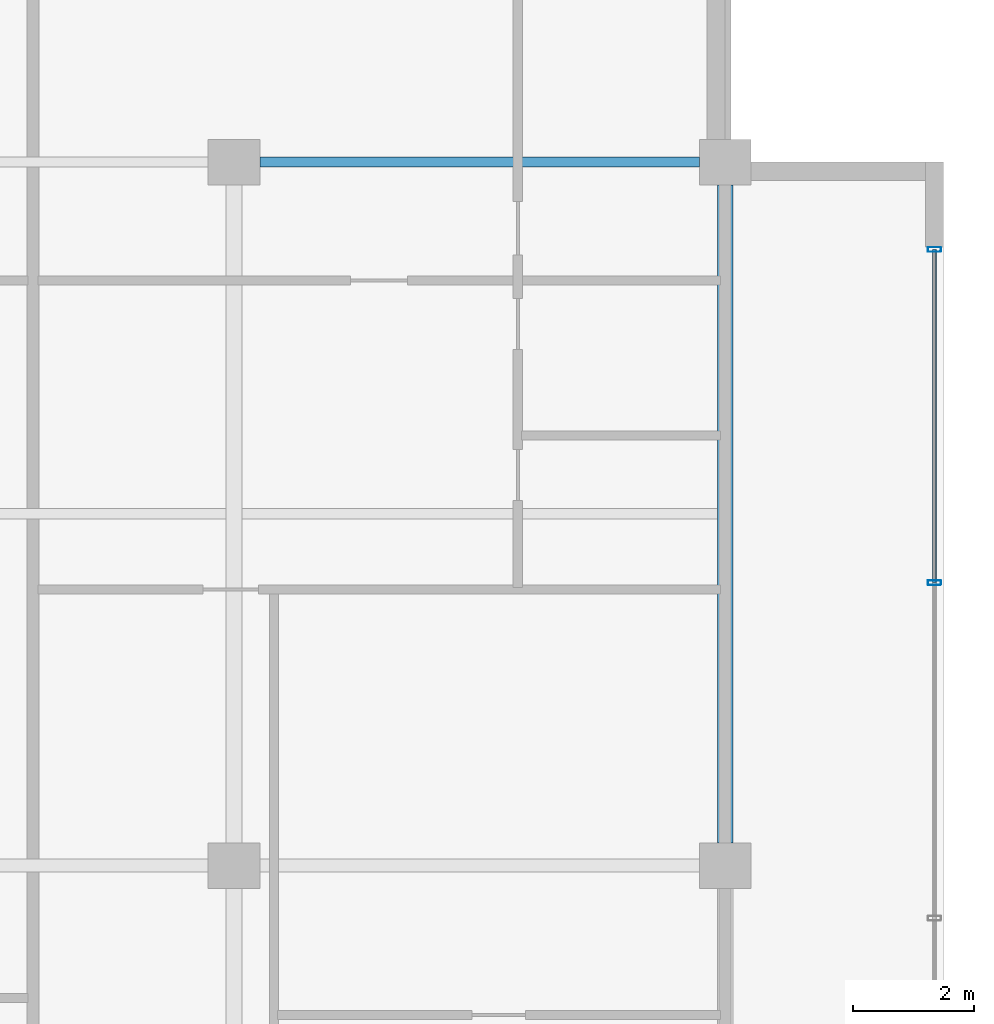
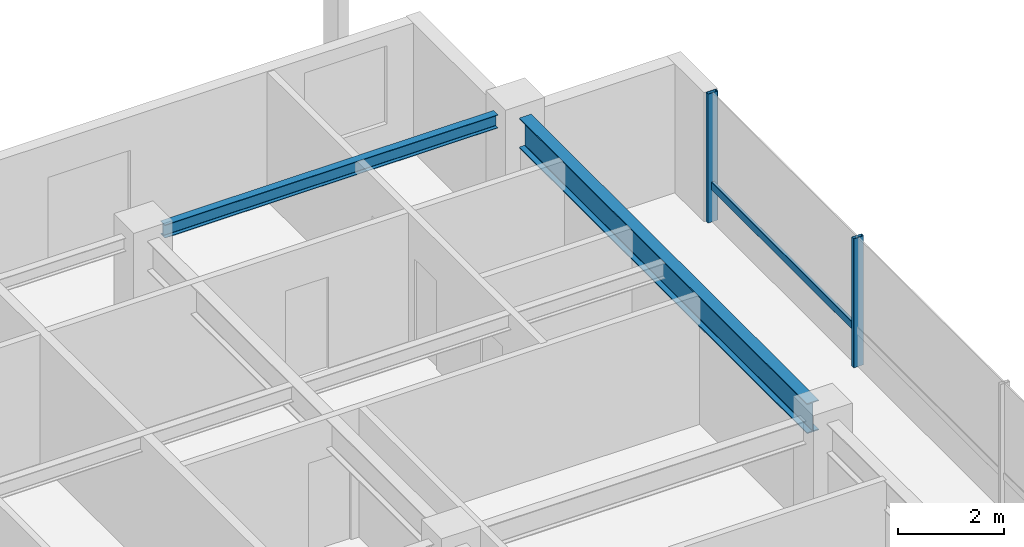
# One storey, part 14 of 32: 3 members, 2 beams, 1 element without a shape of its own.
"""IFC4 building model written with IfcOpenShell, lengths in metres."""

import ifcopenshell
import ifcopenshell.guid

model = None  # the IFC model being written
_history = None  # IfcOwnerHistory: only IFC2X3 demands one
_inside = {}  # id of a spatial element -> (the spatial element, [elements in it])
_under = {}  # id of a project, library or spatial element -> (it, [spatial elements below it])
_declared = {}  # id of a project -> (the project, [libraries it declares])
_typed = {}  # id of a type object -> (the type object, [elements of that type])
_made_of = {}  # id of a material, layer set ... -> (it, [elements and type objects made of it])


def new_model(schema):
    """Start an empty IFC model of exactly this schema.

    Asked for "IFC4X3", IfcOpenShell would pick the latest addendum, in which some entities
    have other attributes; the version numbers below select the first issue.
    IFC2X3 requires an IfcOwnerHistory on every rooted entity: one is made here for all.
    """
    global model, _history
    if schema == "IFC4X3":
        model = ifcopenshell.file(schema_version=(4, 3, 0, 0))
    else:
        model = ifcopenshell.file(schema=schema)
    _inside.clear()
    _under.clear()
    _declared.clear()
    _typed.clear()
    _made_of.clear()
    _history = None
    if model.schema == "IFC2X3":
        org = make("IfcOrganization", Name="unknown")
        user = make(
            "IfcPersonAndOrganization",
            ThePerson=make("IfcPerson", FamilyName="unknown"),
            TheOrganization=org,
        )
        app = make(
            "IfcApplication",
            ApplicationDeveloper=org,
            Version="unknown",
            ApplicationFullName="unknown",
            ApplicationIdentifier="unknown",
        )
        _history = make(
            "IfcOwnerHistory",
            OwningUser=user,
            OwningApplication=app,
            ChangeAction="ADDED",
            CreationDate=0,
        )
    return model


def make(cls, **values):
    """One entity of the class cls with the attributes given. An attribute that is None is left unset."""
    return model.create_entity(
        cls, **{name: value for name, value in values.items() if value is not None}
    )


def rooted(cls, **values):
    """An entity with a GlobalId (a new one), such as an element, a storey or a relation."""
    return make(cls, GlobalId=ifcopenshell.guid.new(), OwnerHistory=_history, **values)


def si_unit(unit_type, name, prefix=None):
    """IfcSIUnit, for example si_unit("LENGTHUNIT", "METRE", prefix="MILLI")."""
    return make("IfcSIUnit", UnitType=unit_type, Prefix=prefix, Name=name)


def assignment(units):
    """IfcUnitAssignment: the units of a project."""
    return None if units is None else make("IfcUnitAssignment", Units=units)


def point(xyz):
    """IfcCartesianPoint."""
    return None if xyz is None else make("IfcCartesianPoint", Coordinates=xyz)


def direction(xyz):
    """IfcDirection."""
    return None if xyz is None else make("IfcDirection", DirectionRatios=xyz)


def frame(location, z_axis=None, x_axis=None):
    """IfcAxis2Placement3D, a coordinate frame: its origin and axes. An axis left out is left unset."""
    return make(
        "IfcAxis2Placement3D",
        Location=point(location),
        Axis=direction(z_axis),
        RefDirection=direction(x_axis),
    )


def frame_2d(location, x_axis=None):
    """IfcAxis2Placement2D, a coordinate frame in the plane: its origin and x axis."""
    return make(
        "IfcAxis2Placement2D", Location=point(location), RefDirection=direction(x_axis)
    )


def origin():
    """The frame at (0, 0, 0) with its axes left unset."""
    return frame((0.0, 0.0, 0.0))


def origin_2d():
    """The frame at (0, 0) in the plane with its x axis left unset."""
    return frame_2d((0.0, 0.0))


def place(relative_to, where):
    """IfcLocalPlacement: puts the frame where relative to a parent placement (None: the world)."""
    return make(
        "IfcLocalPlacement", PlacementRelTo=relative_to, RelativePlacement=where
    )


def context(
    kind, dimensions, precision=None, world=None, true_north=None, identifier=None
):
    """IfcGeometricRepresentationContext, for example the 3D "Model" context."""
    return make(
        "IfcGeometricRepresentationContext",
        ContextIdentifier=identifier,
        ContextType=kind,
        CoordinateSpaceDimension=dimensions,
        Precision=precision,
        WorldCoordinateSystem=world,
        TrueNorth=true_north,
    )


def subcontext(parent, identifier, kind, view, scale=None):
    """IfcGeometricRepresentationSubContext, for example "Body" below "Model"."""
    return make(
        "IfcGeometricRepresentationSubContext",
        ContextIdentifier=identifier,
        ContextType=kind,
        ParentContext=parent,
        TargetScale=scale,
        TargetView=view,
    )


def project(units=None, contexts=None):
    """IfcProject with its units and contexts."""
    return rooted(
        "IfcProject",
        Name="project",
        RepresentationContexts=contexts,
        UnitsInContext=assignment(units),
    )


def spatial(cls, under=None, at=None, **own):
    """A site, building, storey or space (cls), placed at a placement, below another one or the project."""
    s = rooted(cls, ObjectPlacement=at, **own)
    if under is not None:
        _under.setdefault(under.id(), (under, []))[1].append(s)
    return s


def profile(cls, at=None, kind="AREA", **sizes):
    """A parametric profile (cls). Its sizes go by their IFC names, for example OverallWidth=200.0."""
    return make(cls, ProfileType=kind, Position=at, **sizes)


def hollow_rectangle(**sizes):
    """IfcRectangleHollowProfileDef."""
    return profile("IfcRectangleHollowProfileDef", **sizes)


def i_section(**sizes):
    """IfcIShapeProfileDef."""
    return profile("IfcIShapeProfileDef", **sizes)


def extrude(swept, where, along, depth):
    """IfcExtrudedAreaSolid: the profile swept, set in the frame where, extruded along a direction by depth."""
    return make(
        "IfcExtrudedAreaSolid",
        SweptArea=swept,
        Position=where,
        ExtrudedDirection=direction(along),
        Depth=depth,
    )


def shape(context_of_items, identifier, shape_type, items):
    """IfcShapeRepresentation: the items that make up one representation, for example the "Body"."""
    return make(
        "IfcShapeRepresentation",
        ContextOfItems=context_of_items,
        RepresentationIdentifier=identifier,
        RepresentationType=shape_type,
        Items=items,
    )


def material(Name=None, Category=None):
    """IfcMaterial."""
    return make("IfcMaterial", Name=Name, Category=Category)


def layer(
    of_material, thickness, ventilated=None, Name=None, Category=None, Priority=None
):
    """IfcMaterialLayer: one layer of a wall or slab, of a material (None: an air gap)."""
    return make(
        "IfcMaterialLayer",
        Material=of_material,
        LayerThickness=thickness,
        IsVentilated=ventilated,
        Name=Name,
        Category=Category,
        Priority=Priority,
    )


def layer_set(layers, Name=None):
    """IfcMaterialLayerSet."""
    return make("IfcMaterialLayerSet", MaterialLayers=layers, LayerSetName=Name)


def material_profile(
    of_material, cross_section, Name=None, Category=None, Priority=None
):
    """IfcMaterialProfile: a cross section and its material."""
    return make(
        "IfcMaterialProfile",
        Name=Name,
        Material=of_material,
        Profile=cross_section,
        Priority=Priority,
        Category=Category,
    )


def profile_set(profiles, Name=None, composite=None):
    """IfcMaterialProfileSet."""
    return make(
        "IfcMaterialProfileSet",
        Name=Name,
        MaterialProfiles=profiles,
        CompositeProfile=composite,
    )


def made_of(thing, what):
    """Note that an element or type object is made of a material, layer set ...; save() writes the relation."""
    if what is not None:
        _made_of.setdefault(what.id(), (what, []))[1].append(thing)
    return thing


def type_object(cls, material=None, **own):
    """A type object (cls), such as IfcWallType, which elements share."""
    return made_of(rooted(cls, **own), material)


def element(
    cls,
    number,
    at=None,
    inside=None,
    cuts=None,
    type_object=None,
    material=None,
    context=None,
    identifier="Body",
    shape_type=None,
    held_by="IfcProductDefinitionShape",
    body=None,
    shapes=None,
    **own,
):
    """One element of the class cls, such as IfcWall. Its Tag is "e" and its number.

    at: its placement. inside: the storey or other place that contains it. cuts: it is an
    opening in that element (IfcRelVoidsElement). A single representation is given by context,
    identifier, shape_type and body (its items); several are given by shapes. held_by: the class
    of the entity that holds the representations. save() writes the other relations.
    """
    e = rooted(cls, Tag="e%d" % number, ObjectPlacement=at, **own)
    if body is not None:
        shapes = [shape(context, identifier, shape_type, body)]
    if shapes is not None:
        e.Representation = make(held_by, Representations=shapes)
    if inside is not None:
        _inside.setdefault(inside.id(), (inside, []))[1].append(e)
    if cuts is not None:
        rooted(
            "IfcRelVoidsElement", RelatingBuildingElement=cuts, RelatedOpeningElement=e
        )
    if type_object is not None:
        _typed.setdefault(type_object.id(), (type_object, []))[1].append(e)
    return made_of(e, material)


def aggregate(whole, parts):
    """IfcRelAggregates: a whole, such as a stair, and the parts it consists of."""
    return rooted("IfcRelAggregates", RelatingObject=whole, RelatedObjects=parts)


def save(model, path):
    """Write the relations noted so far, then the file.

    IfcRelAggregates (storeys below a building ...), IfcRelContainedInSpatialStructure (elements
    in a storey), IfcRelDefinesByType, IfcRelAssociatesMaterial and IfcRelDeclares: one each for
    every whole, place, type object, material and project.
    """
    for whole, parts in _under.values():
        aggregate(whole, parts)
    for where, things in _inside.values():
        rooted(
            "IfcRelContainedInSpatialStructure",
            RelatedElements=things,
            RelatingStructure=where,
        )
    for kind, things in _typed.values():
        rooted("IfcRelDefinesByType", RelatedObjects=things, RelatingType=kind)
    for what, things in _made_of.values():
        rooted("IfcRelAssociatesMaterial", RelatedObjects=things, RelatingMaterial=what)
    for by, libraries in _declared.values():
        rooted("IfcRelDeclares", RelatingContext=by, RelatedDefinitions=libraries)
    model.write(path)


model = new_model("IFC4")

# Units and contexts
model_context = context("Model", 3, precision=1e-05, world=origin(), true_north=direction((0.0, 1.0)))
body_context = subcontext(model_context, "Body", "Model", "MODEL_VIEW")
ifc_project = project(units=[si_unit("LENGTHUNIT", "METRE"), si_unit("AREAUNIT", "SQUARE_METRE"), si_unit("VOLUMEUNIT", "CUBIC_METRE"), si_unit("PLANEANGLEUNIT", "RADIAN"), si_unit("MASSUNIT", "GRAM", prefix="KILO")], contexts=[model_context])

# Site, building, storey
site_placement = place(None, origin())
site = spatial("IfcSite", under=ifc_project, at=site_placement, CompositionType="ELEMENT")
building_placement = place(site_placement, origin())
building = spatial("IfcBuilding", under=site, at=building_placement, Name="Korimba Cascade Residences", CompositionType="ELEMENT")
storey_placement = place(building_placement, frame((0.0, 0.0, 178.35009765625)))
storey = spatial("IfcBuildingStorey", under=building, at=storey_placement, Name="L51", CompositionType="ELEMENT", Elevation=178.35009765625)

# Beams
ifc_material_1 = material(Name="Steel S355", Category="steel")
ifc_material_profile_1 = material_profile(ifc_material_1, i_section(OverallWidth=0.165771484375, OverallDepth=0.306640625, WebThickness=0.006591796875, FlangeThickness=0.01171875, FilletRadius=0.0087890625, at=origin_2d()), Name="Steel S355")
ifc_profile_set_1 = profile_set([ifc_material_profile_1], Name="Steel S355")
beam_type_1 = type_object("IfcBeamType", Name="BM-STL-UB305", PredefinedType="SPANDREL", material=ifc_profile_set_1)
beam_1_placement = place(storey_placement, frame((120.72509765625, 91.199951171875, 2.816650390625), z_axis=(1.0, 0.0, 0.0), x_axis=(0.0, 1.0, 0.0)))
element("IfcBeam", 1, at=beam_1_placement, inside=storey, type_object=beam_type_1, Name="L51 T1 E-W Girder Y4 Bay 8", PredefinedType="SPANDREL", context=body_context, shape_type="SweptSolid", body=[
    extrude(i_section(OverallWidth=0.165771484375, OverallDepth=0.306640625, WebThickness=0.006591796875, FlangeThickness=0.01171875, FilletRadius=0.0087890625, at=origin_2d()), origin(), (0.0, 0.0, 1.0), 7.25),
])
ifc_material_profile_2 = material_profile(ifc_material_1, i_section(OverallWidth=0.255859375, OverallDepth=0.69287109375, WebThickness=0.014404296875, FlangeThickness=0.023681640625, FilletRadius=0.01513671875, at=origin_2d()), Name="Steel S355")
ifc_profile_set_2 = profile_set([ifc_material_profile_2], Name="Steel S355")
beam_type_2 = type_object("IfcBeamType", Name="BM-STL-UB686", PredefinedType="BEAM", material=ifc_profile_set_2)
beam_2_placement = place(storey_placement, frame((128.39990234375, 79.97509765625, 2.623291015625), z_axis=(0.0, 1.0, 0.0), x_axis=(-1.0, 0.0, 0.0)))
element("IfcBeam", 2, at=beam_2_placement, inside=storey, type_object=beam_type_2, Name="L51 T1 N-S Girder X9 Seg 3", PredefinedType="BEAM", context=body_context, shape_type="SweptSolid", body=[
    extrude(i_section(OverallWidth=0.255859375, OverallDepth=0.69287109375, WebThickness=0.014404296875, FlangeThickness=0.023681640625, FilletRadius=0.01513671875, at=origin_2d()), origin(), (0.0, 0.0, 1.0), 10.849853515625),
])

# Curtain wall, members
ifc_material_2 = material(Name="Anodised Aluminium Curtain Wall Framing", Category="aluminium")
ifc_layer = layer(ifc_material_2, 0.179931640625)
ifc_layer_set = layer_set([ifc_layer], Name="Anodised Aluminium Curtain Wall Framing")
curtain_wall_type = type_object("IfcCurtainWallType", Name="CW-SKY-SYS2", PredefinedType="NOTDEFINED", material=ifc_layer_set)
curtain_wall_placement = place(storey_placement, origin())
curtain_wall = element("IfcCurtainWall", 3, at=curtain_wall_placement, inside=storey, type_object=curtain_wall_type, Name="L51 Curtain Wall CW-L51-T1-E3", PredefinedType="NOTDEFINED")
ifc_material_3 = material(Name="Anodised Aluminium Mullion", Category="aluminium")
ifc_material_profile_3 = material_profile(ifc_material_3, hollow_rectangle(XDim=0.080078125, YDim=0.219970703125, WallThickness=0.00634765625, InnerFilletRadius=0.00634765625, OuterFilletRadius=0.0126953125, at=origin_2d()), Name="Anodised Aluminium Mullion")
ifc_profile_set_3 = profile_set([ifc_material_profile_3], Name="Anodised Aluminium Mullion")
member_type_1 = type_object("IfcMemberType", Name="CWM-MUL-220", PredefinedType="MULLION", material=ifc_profile_set_3)
member_1_placement = place(storey_placement, frame((131.85009765625, 84.2666015625, 0.0), z_axis=(0.0, 0.0, 1.0), x_axis=(0.0, 1.0, 0.0)))
member_1 = element("IfcMember", 4, at=member_1_placement, type_object=member_type_1, Name="CW-L51-T1-E3 Mullion 6", PredefinedType="MULLION", context=body_context, shape_type="SweptSolid", body=[
    extrude(hollow_rectangle(XDim=0.080078125, YDim=0.219970703125, WallThickness=0.00634765625, InnerFilletRadius=0.00634765625, OuterFilletRadius=0.0126953125, at=origin_2d()), origin(), (0.0, 0.0, 1.0), 2.969970703125),
])
member_2_placement = place(storey_placement, frame((131.85009765625, 89.760009765625, 0.0), z_axis=(0.0, 0.0, 1.0), x_axis=(0.0, 1.0, 0.0)))
member_2 = element("IfcMember", 5, at=member_2_placement, type_object=member_type_1, Name="CW-L51-T1-E3 Mullion 7", PredefinedType="MULLION", context=body_context, shape_type="SweptSolid", body=[
    extrude(hollow_rectangle(XDim=0.080078125, YDim=0.219970703125, WallThickness=0.00634765625, InnerFilletRadius=0.00634765625, OuterFilletRadius=0.0126953125, at=origin_2d()), origin(), (0.0, 0.0, 1.0), 2.969970703125),
])
ifc_material_4 = material(Name="Anodised Aluminium Transom", Category="aluminium")
ifc_material_profile_4 = material_profile(ifc_material_4, hollow_rectangle(XDim=0.070068359375, YDim=0.179931640625, WallThickness=0.0048828125, InnerFilletRadius=0.0048828125, OuterFilletRadius=0.010009765625, at=origin_2d()), Name="Anodised Aluminium Transom")
ifc_profile_set_4 = profile_set([ifc_material_profile_4], Name="Anodised Aluminium Transom")
member_type_2 = type_object("IfcMemberType", Name="CWM-TRN-150", PredefinedType="USERDEFINED", material=ifc_profile_set_4)
member_3_placement = place(storey_placement, frame((131.85009765625, 84.2666015625, 0.83154296875), z_axis=(0.0, 1.0, 0.0), x_axis=(-1.0, 0.0, 0.0)))
member_3 = element("IfcMember", 6, at=member_3_placement, type_object=member_type_2, Name="CW-L51-T1-E3 Transom 6", ObjectType="TRANSOM", PredefinedType="USERDEFINED", context=body_context, shape_type="SweptSolid", body=[
    extrude(hollow_rectangle(XDim=0.070068359375, YDim=0.179931640625, WallThickness=0.0048828125, InnerFilletRadius=0.0048828125, OuterFilletRadius=0.010009765625, at=origin_2d()), origin(), (0.0, 0.0, 1.0), 5.493408203125),
])
aggregate(curtain_wall, [member_1, member_2, member_3])

save(model, "model.ifc")
